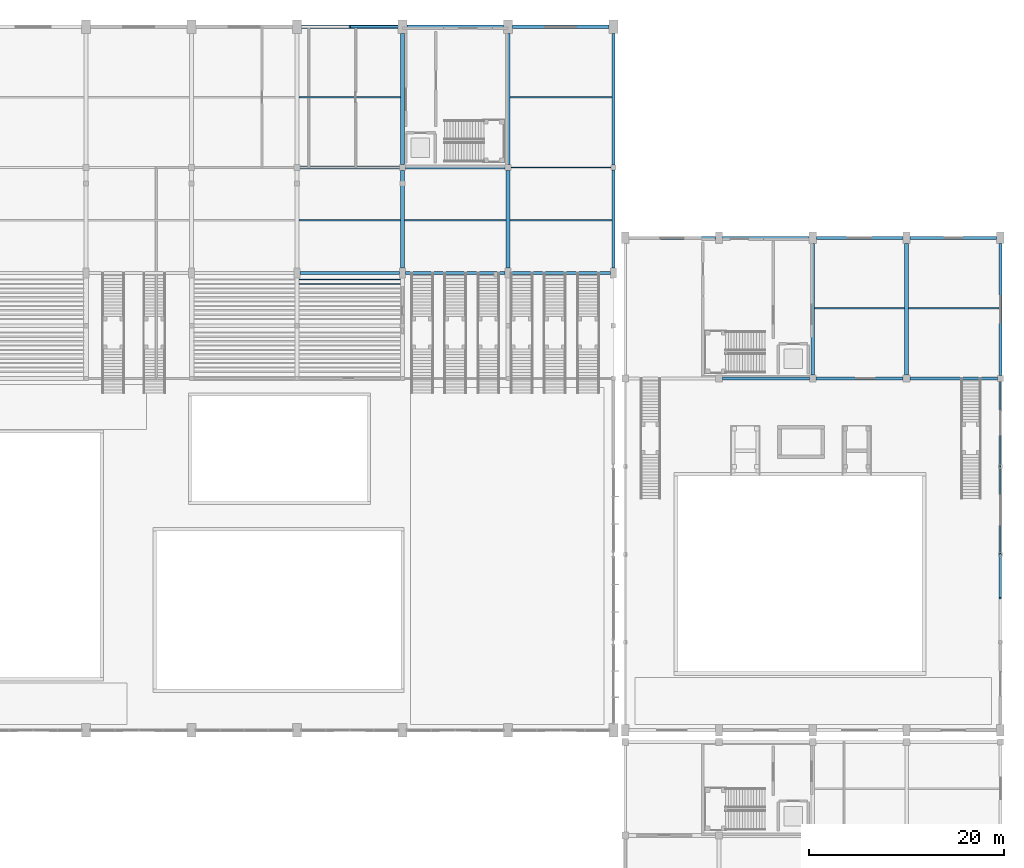
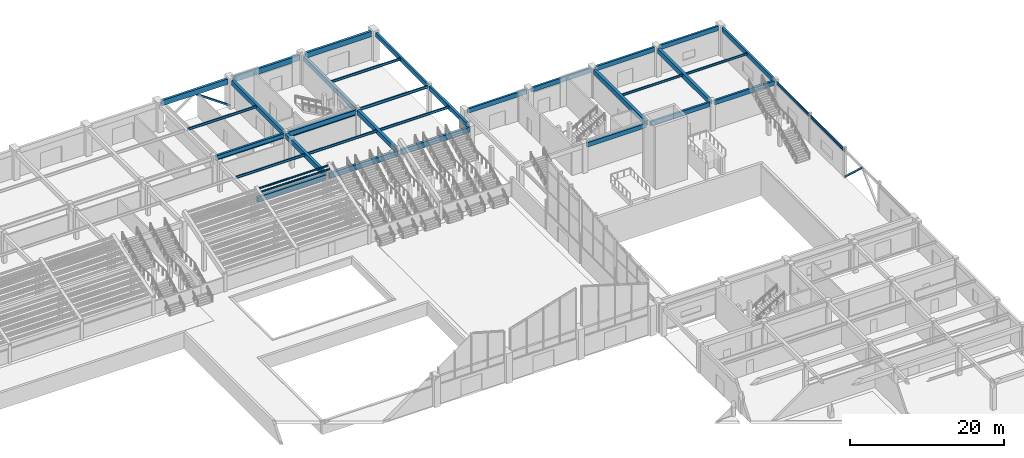
# One storey, part 38 of 82: 36 beams, 2 members.
"""IFC4 building model written with IfcOpenShell, lengths in metres."""

import ifcopenshell
import ifcopenshell.guid

model = None  # the IFC model being written
_history = None  # IfcOwnerHistory: only IFC2X3 demands one
_inside = {}  # id of a spatial element -> (the spatial element, [elements in it])
_under = {}  # id of a project, library or spatial element -> (it, [spatial elements below it])
_declared = {}  # id of a project -> (the project, [libraries it declares])
_typed = {}  # id of a type object -> (the type object, [elements of that type])
_made_of = {}  # id of a material, layer set ... -> (it, [elements and type objects made of it])


def new_model(schema):
    """Start an empty IFC model of exactly this schema.

    Asked for "IFC4X3", IfcOpenShell would pick the latest addendum, in which some entities
    have other attributes; the version numbers below select the first issue.
    IFC2X3 requires an IfcOwnerHistory on every rooted entity: one is made here for all.
    """
    global model, _history
    if schema == "IFC4X3":
        model = ifcopenshell.file(schema_version=(4, 3, 0, 0))
    else:
        model = ifcopenshell.file(schema=schema)
    _inside.clear()
    _under.clear()
    _declared.clear()
    _typed.clear()
    _made_of.clear()
    _history = None
    if model.schema == "IFC2X3":
        org = make("IfcOrganization", Name="unknown")
        user = make(
            "IfcPersonAndOrganization",
            ThePerson=make("IfcPerson", FamilyName="unknown"),
            TheOrganization=org,
        )
        app = make(
            "IfcApplication",
            ApplicationDeveloper=org,
            Version="unknown",
            ApplicationFullName="unknown",
            ApplicationIdentifier="unknown",
        )
        _history = make(
            "IfcOwnerHistory",
            OwningUser=user,
            OwningApplication=app,
            ChangeAction="ADDED",
            CreationDate=0,
        )
    return model


def make(cls, **values):
    """One entity of the class cls with the attributes given. An attribute that is None is left unset."""
    return model.create_entity(
        cls, **{name: value for name, value in values.items() if value is not None}
    )


def rooted(cls, **values):
    """An entity with a GlobalId (a new one), such as an element, a storey or a relation."""
    return make(cls, GlobalId=ifcopenshell.guid.new(), OwnerHistory=_history, **values)


def si_unit(unit_type, name, prefix=None):
    """IfcSIUnit, for example si_unit("LENGTHUNIT", "METRE", prefix="MILLI")."""
    return make("IfcSIUnit", UnitType=unit_type, Prefix=prefix, Name=name)


def assignment(units):
    """IfcUnitAssignment: the units of a project."""
    return None if units is None else make("IfcUnitAssignment", Units=units)


def point(xyz):
    """IfcCartesianPoint."""
    return None if xyz is None else make("IfcCartesianPoint", Coordinates=xyz)


def direction(xyz):
    """IfcDirection."""
    return None if xyz is None else make("IfcDirection", DirectionRatios=xyz)


def frame(location, z_axis=None, x_axis=None):
    """IfcAxis2Placement3D, a coordinate frame: its origin and axes. An axis left out is left unset."""
    return make(
        "IfcAxis2Placement3D",
        Location=point(location),
        Axis=direction(z_axis),
        RefDirection=direction(x_axis),
    )


def frame_2d(location, x_axis=None):
    """IfcAxis2Placement2D, a coordinate frame in the plane: its origin and x axis."""
    return make(
        "IfcAxis2Placement2D", Location=point(location), RefDirection=direction(x_axis)
    )


def origin():
    """The frame at (0, 0, 0) with its axes left unset."""
    return frame((0.0, 0.0, 0.0))


def origin_2d():
    """The frame at (0, 0) in the plane with its x axis left unset."""
    return frame_2d((0.0, 0.0))


def place(relative_to, where):
    """IfcLocalPlacement: puts the frame where relative to a parent placement (None: the world)."""
    return make(
        "IfcLocalPlacement", PlacementRelTo=relative_to, RelativePlacement=where
    )


def context(
    kind, dimensions, precision=None, world=None, true_north=None, identifier=None
):
    """IfcGeometricRepresentationContext, for example the 3D "Model" context."""
    return make(
        "IfcGeometricRepresentationContext",
        ContextIdentifier=identifier,
        ContextType=kind,
        CoordinateSpaceDimension=dimensions,
        Precision=precision,
        WorldCoordinateSystem=world,
        TrueNorth=true_north,
    )


def subcontext(parent, identifier, kind, view, scale=None):
    """IfcGeometricRepresentationSubContext, for example "Body" below "Model"."""
    return make(
        "IfcGeometricRepresentationSubContext",
        ContextIdentifier=identifier,
        ContextType=kind,
        ParentContext=parent,
        TargetScale=scale,
        TargetView=view,
    )


def project(units=None, contexts=None):
    """IfcProject with its units and contexts."""
    return rooted(
        "IfcProject",
        Name="project",
        RepresentationContexts=contexts,
        UnitsInContext=assignment(units),
    )


def spatial(cls, under=None, at=None, **own):
    """A site, building, storey or space (cls), placed at a placement, below another one or the project."""
    s = rooted(cls, ObjectPlacement=at, **own)
    if under is not None:
        _under.setdefault(under.id(), (under, []))[1].append(s)
    return s


def profile(cls, at=None, kind="AREA", **sizes):
    """A parametric profile (cls). Its sizes go by their IFC names, for example OverallWidth=200.0."""
    return make(cls, ProfileType=kind, Position=at, **sizes)


def rectangle(**sizes):
    """IfcRectangleProfileDef."""
    return profile("IfcRectangleProfileDef", **sizes)


def hollow_rectangle(**sizes):
    """IfcRectangleHollowProfileDef."""
    return profile("IfcRectangleHollowProfileDef", **sizes)


def i_section(**sizes):
    """IfcIShapeProfileDef."""
    return profile("IfcIShapeProfileDef", **sizes)


def extrude(swept, where, along, depth):
    """IfcExtrudedAreaSolid: the profile swept, set in the frame where, extruded along a direction by depth."""
    return make(
        "IfcExtrudedAreaSolid",
        SweptArea=swept,
        Position=where,
        ExtrudedDirection=direction(along),
        Depth=depth,
    )


def shape(context_of_items, identifier, shape_type, items):
    """IfcShapeRepresentation: the items that make up one representation, for example the "Body"."""
    return make(
        "IfcShapeRepresentation",
        ContextOfItems=context_of_items,
        RepresentationIdentifier=identifier,
        RepresentationType=shape_type,
        Items=items,
    )


def material(Name=None, Category=None):
    """IfcMaterial."""
    return make("IfcMaterial", Name=Name, Category=Category)


def material_profile(
    of_material, cross_section, Name=None, Category=None, Priority=None
):
    """IfcMaterialProfile: a cross section and its material."""
    return make(
        "IfcMaterialProfile",
        Name=Name,
        Material=of_material,
        Profile=cross_section,
        Priority=Priority,
        Category=Category,
    )


def profile_set(profiles, Name=None, composite=None):
    """IfcMaterialProfileSet."""
    return make(
        "IfcMaterialProfileSet",
        Name=Name,
        MaterialProfiles=profiles,
        CompositeProfile=composite,
    )


def made_of(thing, what):
    """Note that an element or type object is made of a material, layer set ...; save() writes the relation."""
    if what is not None:
        _made_of.setdefault(what.id(), (what, []))[1].append(thing)
    return thing


def type_object(cls, material=None, **own):
    """A type object (cls), such as IfcWallType, which elements share."""
    return made_of(rooted(cls, **own), material)


def element(
    cls,
    number,
    at=None,
    inside=None,
    cuts=None,
    type_object=None,
    material=None,
    context=None,
    identifier="Body",
    shape_type=None,
    held_by="IfcProductDefinitionShape",
    body=None,
    shapes=None,
    **own,
):
    """One element of the class cls, such as IfcWall. Its Tag is "e" and its number.

    at: its placement. inside: the storey or other place that contains it. cuts: it is an
    opening in that element (IfcRelVoidsElement). A single representation is given by context,
    identifier, shape_type and body (its items); several are given by shapes. held_by: the class
    of the entity that holds the representations. save() writes the other relations.
    """
    e = rooted(cls, Tag="e%d" % number, ObjectPlacement=at, **own)
    if body is not None:
        shapes = [shape(context, identifier, shape_type, body)]
    if shapes is not None:
        e.Representation = make(held_by, Representations=shapes)
    if inside is not None:
        _inside.setdefault(inside.id(), (inside, []))[1].append(e)
    if cuts is not None:
        rooted(
            "IfcRelVoidsElement", RelatingBuildingElement=cuts, RelatedOpeningElement=e
        )
    if type_object is not None:
        _typed.setdefault(type_object.id(), (type_object, []))[1].append(e)
    return made_of(e, material)


def aggregate(whole, parts):
    """IfcRelAggregates: a whole, such as a stair, and the parts it consists of."""
    return rooted("IfcRelAggregates", RelatingObject=whole, RelatedObjects=parts)


def save(model, path):
    """Write the relations noted so far, then the file.

    IfcRelAggregates (storeys below a building ...), IfcRelContainedInSpatialStructure (elements
    in a storey), IfcRelDefinesByType, IfcRelAssociatesMaterial and IfcRelDeclares: one each for
    every whole, place, type object, material and project.
    """
    for whole, parts in _under.values():
        aggregate(whole, parts)
    for where, things in _inside.values():
        rooted(
            "IfcRelContainedInSpatialStructure",
            RelatedElements=things,
            RelatingStructure=where,
        )
    for kind, things in _typed.values():
        rooted("IfcRelDefinesByType", RelatedObjects=things, RelatingType=kind)
    for what, things in _made_of.values():
        rooted("IfcRelAssociatesMaterial", RelatedObjects=things, RelatingMaterial=what)
    for by, libraries in _declared.values():
        rooted("IfcRelDeclares", RelatingContext=by, RelatedDefinitions=libraries)
    model.write(path)


model = new_model("IFC4")

# Units and contexts
model_context = context("Model", 3, precision=1e-05, world=origin(), true_north=direction((0.0, 1.0)))
body_context = subcontext(model_context, "Body", "Model", "MODEL_VIEW")
ifc_project = project(units=[si_unit("LENGTHUNIT", "METRE"), si_unit("AREAUNIT", "SQUARE_METRE"), si_unit("VOLUMEUNIT", "CUBIC_METRE"), si_unit("PLANEANGLEUNIT", "RADIAN"), si_unit("MASSUNIT", "GRAM", prefix="KILO")], contexts=[model_context])

# Site, building, storey
site_placement = place(None, origin())
site = spatial("IfcSite", under=ifc_project, at=site_placement, CompositionType="ELEMENT")
building_placement = place(site_placement, origin())
building = spatial("IfcBuilding", under=site, at=building_placement, Name="Suirenkawa Promenade Aquatics Centre", CompositionType="ELEMENT")
storey_placement = place(building_placement, origin())
storey = spatial("IfcBuildingStorey", under=building, at=storey_placement, Name="L00", CompositionType="ELEMENT", Elevation=0.0)

# Beams
ifc_material_1 = material(Name="Steel IS 2062 E350 (Grade 350)", Category="steel")
ifc_material_profile_1 = material_profile(ifc_material_1, i_section(OverallWidth=0.125, OverallDepth=0.25, WebThickness=0.007080078125, FlangeThickness=0.012939453125, at=origin_2d()), Name="ISMB 250", Category="steel")
ifc_profile_set_1 = profile_set([ifc_material_profile_1], Name="Steel IS 2062 E350 (Grade 350)")
beam_type_1 = type_object("IfcBeamType", Name="BT-JOIST-ISMB250", PredefinedType="JOIST", material=ifc_profile_set_1)
for number, where, z_axis, x_axis, name in (
    (1, (122.60009765625, 96.080078125, 5.985107421875), (1.0, 0.0, 0.0), (0.0, 1.0, 0.0), "Seating tier rear stringer JS-01 BM-1310"),
    (2, (122.60009765625, 96.52001953125, 6.284912109375), (1.0, 0.0, 0.0), (0.0, 1.0, 0.0), "Seating tier front stringer JS-01 BM-1311"),
):
    element("IfcBeam", number, at=place(storey_placement, frame(where, z_axis=z_axis, x_axis=x_axis)), inside=storey, type_object=beam_type_1, Name=name, PredefinedType="JOIST", context=body_context, shape_type="SweptSolid", body=[
        extrude(i_section(OverallWidth=0.125, OverallDepth=0.25, WebThickness=0.007080078125, FlangeThickness=0.012939453125, at=origin_2d()), origin(), (0.0, 0.0, 1.0), 10.39990234375),
    ])
ifc_material_profile_2 = material_profile(ifc_material_1, i_section(OverallWidth=0.139892578125, OverallDepth=0.35009765625, WebThickness=0.008056640625, FlangeThickness=0.013916015625, at=origin_2d()), Name="ISMB 350", Category="steel")
ifc_profile_set_2 = profile_set([ifc_material_profile_2], Name="Steel IS 2062 E350 (Grade 350)")
beam_type_2 = type_object("IfcBeamType", Name="BT-JOIST-ISMB350", PredefinedType="JOIST", material=ifc_profile_set_2)
beam_1_placement = place(storey_placement, frame((175.39404296875, 93.60009765625, 4.373046875), z_axis=(1.0, 0.0, 0.0), x_axis=(0.0, 1.0, 0.0)))
element("IfcBeam", 3, at=beam_1_placement, inside=storey, type_object=beam_type_2, Name="Secondary floor joist JS-03 BM-1405", PredefinedType="JOIST", context=body_context, shape_type="SweptSolid", body=[
    extrude(i_section(OverallWidth=0.139892578125, OverallDepth=0.35009765625, WebThickness=0.008056640625, FlangeThickness=0.013916015625, at=origin_2d()), origin(), (0.0, 0.0, 1.0), 9.2119140625),
])
beam_2_placement = place(storey_placement, frame((184.993896484375, 93.60009765625, 4.373046875), z_axis=(1.0, 0.0, 0.0), x_axis=(0.0, 1.0, 0.0)))
element("IfcBeam", 4, at=beam_2_placement, inside=storey, type_object=beam_type_2, Name="Secondary floor joist JS-03 BM-1406", PredefinedType="JOIST", context=body_context, shape_type="SweptSolid", body=[
    extrude(i_section(OverallWidth=0.139892578125, OverallDepth=0.35009765625, WebThickness=0.008056640625, FlangeThickness=0.013916015625, at=origin_2d()), origin(), (0.0, 0.0, 1.0), 9.26220703125),
])
ifc_material_profile_3 = material_profile(ifc_material_1, i_section(OverallWidth=0.139892578125, OverallDepth=0.39990234375, WebThickness=0.009033203125, FlangeThickness=0.01611328125, at=origin_2d()), Name="ISMB 400", Category="steel")
ifc_profile_set_3 = profile_set([ifc_material_profile_3], Name="Steel IS 2062 E350 (Grade 350)")
beam_type_3 = type_object("IfcBeamType", Name="BT-JOIST-ISMB400", PredefinedType="JOIST", material=ifc_profile_set_3)
for number, where, z_axis, x_axis, name in (
    (5, (122.593994140625, 102.60009765625, 4.318115234375), (1.0, 0.0, 0.0), (0.0, 1.0, 0.0), "Secondary floor joist JS-04 BM-1121"),
    (6, (122.593994140625, 115.199951171875, 4.318115234375), (1.0, 0.0, 0.0), (0.0, 1.0, 0.0), "Secondary floor joist JS-04 BM-1122"),
):
    element("IfcBeam", number, at=place(storey_placement, frame(where, z_axis=z_axis, x_axis=x_axis)), inside=storey, type_object=beam_type_3, Name=name, PredefinedType="JOIST", context=body_context, shape_type="SweptSolid", body=[
        extrude(i_section(OverallWidth=0.139892578125, OverallDepth=0.39990234375, WebThickness=0.009033203125, FlangeThickness=0.01611328125, at=origin_2d()), origin(), (0.0, 0.0, 1.0), 10.412109375),
    ])
beam_3_placement = place(storey_placement, frame((133.39404296875, 102.60009765625, 4.318115234375), z_axis=(1.0, 0.0, 0.0), x_axis=(0.0, 1.0, 0.0)))
element("IfcBeam", 7, at=beam_3_placement, inside=storey, type_object=beam_type_3, Name="Secondary floor joist JS-04 BM-1123", PredefinedType="JOIST", context=body_context, shape_type="SweptSolid", body=[
    extrude(i_section(OverallWidth=0.139892578125, OverallDepth=0.39990234375, WebThickness=0.009033203125, FlangeThickness=0.01611328125, at=origin_2d()), origin(), (0.0, 0.0, 1.0), 10.411865234375),
])
for number, where, z_axis, x_axis, name in (
    (8, (144.194091796875, 102.60009765625, 4.318115234375), (1.0, 0.0, 0.0), (0.0, 1.0, 0.0), "Secondary floor joist JS-04 BM-1124"),
    (9, (144.194091796875, 115.199951171875, 4.318115234375), (1.0, 0.0, 0.0), (0.0, 1.0, 0.0), "Secondary floor joist JS-04 BM-1125"),
):
    element("IfcBeam", number, at=place(storey_placement, frame(where, z_axis=z_axis, x_axis=x_axis)), inside=storey, type_object=beam_type_3, Name=name, PredefinedType="JOIST", context=body_context, shape_type="SweptSolid", body=[
        extrude(i_section(OverallWidth=0.139892578125, OverallDepth=0.39990234375, WebThickness=0.009033203125, FlangeThickness=0.01611328125, at=origin_2d()), origin(), (0.0, 0.0, 1.0), 10.4619140625),
    ])
ifc_material_2 = material(Name="Concrete M40", Category="concrete")
ifc_material_profile_4 = material_profile(ifc_material_2, rectangle(XDim=0.39990234375, YDim=0.75, at=origin_2d()), Name="RC BM 400x750", Category="concrete")
ifc_profile_set_4 = profile_set([ifc_material_profile_4], Name="Concrete M40")
beam_type_4 = type_object("IfcBeamType", Name="BT-RC-400x750", PredefinedType="BEAM", material=ifc_profile_set_4)
beam_4_placement = place(storey_placement, frame((133.199951171875, 97.694091796875, 4.14501953125), z_axis=(0.0, 1.0, 0.0), x_axis=(-1.0, 0.0, 0.0)))
element("IfcBeam", 10, at=beam_4_placement, inside=storey, type_object=beam_type_4, Name="Floor beam BM-05 BM-1102", PredefinedType="BEAM", context=body_context, shape_type="SweptSolid", body=[
    extrude(rectangle(XDim=0.39990234375, YDim=0.75, at=origin_2d()), origin(), (0.0, 0.0, 1.0), 10.011962890625),
])
beam_5_placement = place(storey_placement, frame((133.199951171875, 108.2939453125, 4.14501953125), z_axis=(0.0, 1.0, 0.0), x_axis=(-1.0, 0.0, 0.0)))
element("IfcBeam", 11, at=beam_5_placement, inside=storey, type_object=beam_type_4, Name="Floor beam BM-05 BM-1103", PredefinedType="BEAM", context=body_context, shape_type="SweptSolid", body=[
    extrude(rectangle(XDim=0.39990234375, YDim=0.75, at=origin_2d()), origin(), (0.0, 0.0, 1.0), 13.412109375),
])
beam_6_placement = place(storey_placement, frame((144.0, 97.694091796875, 4.14501953125), z_axis=(0.0, 1.0, 0.0), x_axis=(-1.0, 0.0, 0.0)))
element("IfcBeam", 12, at=beam_6_placement, inside=storey, type_object=beam_type_4, Name="Floor beam BM-05 BM-1104", PredefinedType="BEAM", context=body_context, shape_type="SweptSolid", body=[
    extrude(rectangle(XDim=0.39990234375, YDim=0.75, at=origin_2d()), origin(), (0.0, 0.0, 1.0), 10.011962890625),
])
beam_7_placement = place(storey_placement, frame((144.0, 108.2939453125, 4.14501953125), z_axis=(0.0, 1.0, 0.0), x_axis=(-1.0, 0.0, 0.0)))
element("IfcBeam", 13, at=beam_7_placement, inside=storey, type_object=beam_type_4, Name="Floor beam BM-05 BM-1105", PredefinedType="BEAM", context=body_context, shape_type="SweptSolid", body=[
    extrude(rectangle(XDim=0.39990234375, YDim=0.75, at=origin_2d()), origin(), (0.0, 0.0, 1.0), 13.412109375),
])
for number, where, z_axis, x_axis, name in (
    (14, (175.199951171875, 86.743896484375, 4.175048828125), (0.0, 1.0, 0.0), (-1.0, 0.0, 0.0), "Floor beam BM-05 BM-1402"),
    (15, (184.800048828125, 86.743896484375, 4.175048828125), (0.0, 1.0, 0.0), (-1.0, 0.0, 0.0), "Floor beam BM-05 BM-1403"),
):
    element("IfcBeam", number, at=place(storey_placement, frame(where, z_axis=z_axis, x_axis=x_axis)), inside=storey, type_object=beam_type_4, Name=name, PredefinedType="BEAM", context=body_context, shape_type="SweptSolid", body=[
        extrude(rectangle(XDim=0.39990234375, YDim=0.75, at=origin_2d()), origin(), (0.0, 0.0, 1.0), 13.462158203125),
    ])
ifc_material_profile_5 = material_profile(ifc_material_2, rectangle(XDim=0.300048828125, YDim=0.699951171875, at=origin_2d()), Name="RC SPANDREL 300x700", Category="concrete")
ifc_profile_set_5 = profile_set([ifc_material_profile_5], Name="Concrete M40")
beam_type_5 = type_object("IfcBeamType", Name="BT-SPANDREL-300x700", PredefinedType="SPANDREL", material=ifc_profile_set_5)
beam_8_placement = place(storey_placement, frame((154.800048828125, 97.694091796875, 4.169921875), z_axis=(0.0, 1.0, 0.0), x_axis=(-1.0, 0.0, 0.0)))
element("IfcBeam", 16, at=beam_8_placement, inside=storey, type_object=beam_type_5, Name="Floor beam SP-01 BM-1106", PredefinedType="SPANDREL", context=body_context, shape_type="SweptSolid", body=[
    extrude(rectangle(XDim=0.300048828125, YDim=0.699951171875, at=origin_2d()), origin(), (0.0, 0.0, 1.0), 10.06201171875),
])
beam_9_placement = place(storey_placement, frame((154.800048828125, 108.243896484375, 4.169921875), z_axis=(0.0, 1.0, 0.0), x_axis=(-1.0, 0.0, 0.0)))
element("IfcBeam", 17, at=beam_9_placement, inside=storey, type_object=beam_type_5, Name="Floor beam SP-01 BM-1107", PredefinedType="SPANDREL", context=body_context, shape_type="SweptSolid", body=[
    extrude(rectangle(XDim=0.300048828125, YDim=0.699951171875, at=origin_2d()), origin(), (0.0, 0.0, 1.0), 13.462158203125),
])
beam_10_placement = place(storey_placement, frame((165.944091796875, 86.39990234375, 4.199951171875), z_axis=(1.0, 0.0, 0.0), x_axis=(0.0, 1.0, 0.0)))
element("IfcBeam", 18, at=beam_10_placement, inside=storey, type_object=beam_type_5, Name="Floor beam SP-01 BM-1394", PredefinedType="SPANDREL", context=body_context, shape_type="SweptSolid", body=[
    extrude(rectangle(XDim=0.300048828125, YDim=0.699951171875, at=origin_2d()), origin(), (0.0, 0.0, 1.0), 8.911865234375),
])
beam_11_placement = place(storey_placement, frame((175.5439453125, 86.39990234375, 4.199951171875), z_axis=(1.0, 0.0, 0.0), x_axis=(0.0, 1.0, 0.0)))
element("IfcBeam", 19, at=beam_11_placement, inside=storey, type_object=beam_type_5, Name="Floor beam SP-01 BM-1395", PredefinedType="SPANDREL", context=body_context, shape_type="SweptSolid", body=[
    extrude(rectangle(XDim=0.300048828125, YDim=0.699951171875, at=origin_2d()), origin(), (0.0, 0.0, 1.0), 8.912109375),
])
beam_12_placement = place(storey_placement, frame((185.14404296875, 86.39990234375, 4.199951171875), z_axis=(1.0, 0.0, 0.0), x_axis=(0.0, 1.0, 0.0)))
element("IfcBeam", 20, at=beam_12_placement, inside=storey, type_object=beam_type_5, Name="Floor beam SP-01 BM-1396", PredefinedType="SPANDREL", context=body_context, shape_type="SweptSolid", body=[
    extrude(rectangle(XDim=0.300048828125, YDim=0.699951171875, at=origin_2d()), origin(), (0.0, 0.0, 1.0), 8.9619140625),
])
for number, where, z_axis, x_axis, name in (
    (21, (156.368896484375, 100.800048828125, 4.199951171875), (1.0, 0.0, 0.0), (0.0, 1.0, 0.0), "Floor beam SP-01 BM-1397"),
    (22, (165.968994140625, 100.800048828125, 4.199951171875), (1.0, 0.0, 0.0), (0.0, 1.0, 0.0), "Floor beam SP-01 BM-1398"),
):
    element("IfcBeam", number, at=place(storey_placement, frame(where, z_axis=z_axis, x_axis=x_axis)), inside=storey, type_object=beam_type_5, Name=name, PredefinedType="SPANDREL", context=body_context, shape_type="SweptSolid", body=[
        extrude(rectangle(XDim=0.300048828125, YDim=0.699951171875, at=origin_2d()), origin(), (0.0, 0.0, 1.0), 8.862060546875),
    ])
beam_13_placement = place(storey_placement, frame((175.569091796875, 100.800048828125, 4.199951171875), z_axis=(1.0, 0.0, 0.0), x_axis=(0.0, 1.0, 0.0)))
element("IfcBeam", 23, at=beam_13_placement, inside=storey, type_object=beam_type_5, Name="Floor beam SP-01 BM-1399", PredefinedType="SPANDREL", context=body_context, shape_type="SweptSolid", body=[
    extrude(rectangle(XDim=0.300048828125, YDim=0.699951171875, at=origin_2d()), origin(), (0.0, 0.0, 1.0), 8.86181640625),
])
beam_14_placement = place(storey_placement, frame((185.1689453125, 100.800048828125, 4.199951171875), z_axis=(1.0, 0.0, 0.0), x_axis=(0.0, 1.0, 0.0)))
element("IfcBeam", 24, at=beam_14_placement, inside=storey, type_object=beam_type_5, Name="Floor beam SP-01 BM-1400", PredefinedType="SPANDREL", context=body_context, shape_type="SweptSolid", body=[
    extrude(rectangle(XDim=0.300048828125, YDim=0.699951171875, at=origin_2d()), origin(), (0.0, 0.0, 1.0), 8.862060546875),
])
beam_15_placement = place(storey_placement, frame((194.39990234375, 86.694091796875, 4.199951171875), z_axis=(0.0, 1.0, 0.0), x_axis=(-1.0, 0.0, 0.0)))
element("IfcBeam", 25, at=beam_15_placement, inside=storey, type_object=beam_type_5, Name="Floor beam SP-01 BM-1404", PredefinedType="SPANDREL", context=body_context, shape_type="SweptSolid", body=[
    extrude(rectangle(XDim=0.300048828125, YDim=0.699951171875, at=origin_2d()), origin(), (0.0, 0.0, 1.0), 13.511962890625),
])
ifc_material_profile_6 = material_profile(ifc_material_2, rectangle(XDim=0.35009765625, YDim=0.85009765625, at=origin_2d()), Name="RC SPANDREL 350x850", Category="concrete")
ifc_profile_set_6 = profile_set([ifc_material_profile_6], Name="Concrete M40")
beam_type_6 = type_object("IfcBeamType", Name="BT-SPANDREL-350x850", PredefinedType="SPANDREL", material=ifc_profile_set_6)
beam_16_placement = place(storey_placement, frame((122.694091796875, 97.199951171875, 4.094970703125), z_axis=(1.0, 0.0, 0.0), x_axis=(0.0, 1.0, 0.0)))
element("IfcBeam", 26, at=beam_16_placement, inside=storey, type_object=beam_type_6, Name="Floor beam SP-02 BM-1063", PredefinedType="SPANDREL", context=body_context, shape_type="SweptSolid", body=[
    extrude(rectangle(XDim=0.35009765625, YDim=0.85009765625, at=origin_2d()), origin(), (0.0, 0.0, 1.0), 10.2119140625),
])
for number, where, z_axis, x_axis, name in (
    (27, (133.493896484375, 97.199951171875, 4.094970703125), (1.0, 0.0, 0.0), (0.0, 1.0, 0.0), "Floor beam SP-02 BM-1064"),
    (28, (144.2939453125, 97.199951171875, 4.094970703125), (1.0, 0.0, 0.0), (0.0, 1.0, 0.0), "Floor beam SP-02 BM-1065"),
):
    element("IfcBeam", number, at=place(storey_placement, frame(where, z_axis=z_axis, x_axis=x_axis)), inside=storey, type_object=beam_type_6, Name=name, PredefinedType="SPANDREL", context=body_context, shape_type="SweptSolid", body=[
        extrude(rectangle(XDim=0.35009765625, YDim=0.85009765625, at=origin_2d()), origin(), (0.0, 0.0, 1.0), 10.212158203125),
    ])
beam_17_placement = place(storey_placement, frame((122.843994140625, 122.39990234375, 4.094970703125), z_axis=(1.0, 0.0, 0.0), x_axis=(0.0, 1.0, 0.0)))
element("IfcBeam", 29, at=beam_17_placement, inside=storey, type_object=beam_type_6, Name="Floor beam SP-02 BM-1083", PredefinedType="SPANDREL", context=body_context, shape_type="SweptSolid", body=[
    extrude(rectangle(XDim=0.35009765625, YDim=0.85009765625, at=origin_2d()), origin(), (0.0, 0.0, 1.0), 9.912109375),
])
for number, where, z_axis, x_axis, name in (
    (30, (133.64404296875, 122.39990234375, 4.094970703125), (1.0, 0.0, 0.0), (0.0, 1.0, 0.0), "Floor beam SP-02 BM-1084"),
    (31, (144.444091796875, 122.39990234375, 4.094970703125), (1.0, 0.0, 0.0), (0.0, 1.0, 0.0), "Floor beam SP-02 BM-1085"),
):
    element("IfcBeam", number, at=place(storey_placement, frame(where, z_axis=z_axis, x_axis=x_axis)), inside=storey, type_object=beam_type_6, Name=name, PredefinedType="SPANDREL", context=body_context, shape_type="SweptSolid", body=[
        extrude(rectangle(XDim=0.35009765625, YDim=0.85009765625, at=origin_2d()), origin(), (0.0, 0.0, 1.0), 9.911865234375),
    ])
ifc_material_profile_7 = material_profile(ifc_material_1, i_section(OverallWidth=0.14990234375, OverallDepth=0.449951171875, WebThickness=0.009033203125, FlangeThickness=0.01708984375, at=origin_2d()), Name="ISMB 450", Category="steel")
ifc_profile_set_7 = profile_set([ifc_material_profile_7], Name="Steel IS 2062 E350 (Grade 350)")
beam_type_7 = type_object("IfcBeamType", Name="BT-STL-ISMB450", PredefinedType="BEAM", material=ifc_profile_set_7)
beam_18_placement = place(storey_placement, frame((144.2939453125, 108.0, 4.294921875), z_axis=(1.0, 0.0, 0.0), x_axis=(0.0, 1.0, 0.0)))
element("IfcBeam", 32, at=beam_18_placement, inside=storey, type_object=beam_type_7, Name="Floor beam BM-08 BM-1075", PredefinedType="BEAM", context=body_context, shape_type="SweptSolid", body=[
    extrude(i_section(OverallWidth=0.14990234375, OverallDepth=0.449951171875, WebThickness=0.009033203125, FlangeThickness=0.01708984375, at=origin_2d()), origin(), (0.0, 0.0, 1.0), 10.261962890625),
])
for number, where, z_axis, x_axis, name in (
    (33, (194.39990234375, 68.39990234375, 4.22509765625), (0.0, 1.0, 0.0), (-1.0, 0.0, 0.0), "Diving hall wind girt BM-08 BM-1359"),
    (34, (194.39990234375, 77.39990234375, 4.22509765625), (0.0, 1.0, 0.0), (-1.0, 0.0, 0.0), "Diving hall wind girt BM-08 BM-1360"),
):
    element("IfcBeam", number, at=place(storey_placement, frame(where, z_axis=z_axis, x_axis=x_axis)), inside=storey, type_object=beam_type_7, Name=name, PredefinedType="BEAM", context=body_context, shape_type="SweptSolid", body=[
        extrude(i_section(OverallWidth=0.14990234375, OverallDepth=0.449951171875, WebThickness=0.009033203125, FlangeThickness=0.01708984375, at=origin_2d()), origin(), (0.0, 0.0, 1.0), 9.0),
    ])
ifc_material_profile_8 = material_profile(ifc_material_1, i_section(OverallWidth=0.300048828125, OverallDepth=0.75, WebThickness=0.013916015625, FlangeThickness=0.02490234375, at=origin_2d()), Name="WPG 750x300", Category="steel")
ifc_profile_set_8 = profile_set([ifc_material_profile_8], Name="Steel IS 2062 E350 (Grade 350)")
beam_type_8 = type_object("IfcBeamType", Name="BT-STL-WPG750", PredefinedType="BEAM", material=ifc_profile_set_8)
beam_19_placement = place(storey_placement, frame((122.694091796875, 108.0, 4.14501953125), z_axis=(1.0, 0.0, 0.0), x_axis=(0.0, 1.0, 0.0)))
element("IfcBeam", 35, at=beam_19_placement, inside=storey, type_object=beam_type_8, Name="Floor beam BM-13 BM-1073", PredefinedType="BEAM", context=body_context, shape_type="SweptSolid", body=[
    extrude(i_section(OverallWidth=0.300048828125, OverallDepth=0.75, WebThickness=0.013916015625, FlangeThickness=0.02490234375, at=origin_2d()), origin(), (0.0, 0.0, 1.0), 10.2119140625),
])
ifc_material_profile_9 = material_profile(ifc_material_1, i_section(OverallWidth=0.35009765625, OverallDepth=0.89990234375, WebThickness=0.01611328125, FlangeThickness=0.031982421875, at=origin_2d()), Name="WPG 900x350", Category="steel")
ifc_profile_set_9 = profile_set([ifc_material_profile_9], Name="Steel IS 2062 E350 (Grade 350)")
beam_type_9 = type_object("IfcBeamType", Name="BT-STL-WPG900", PredefinedType="BEAM", material=ifc_profile_set_9)
beam_20_placement = place(storey_placement, frame((133.493896484375, 108.0, 4.070068359375), z_axis=(1.0, 0.0, 0.0), x_axis=(0.0, 1.0, 0.0)))
element("IfcBeam", 36, at=beam_20_placement, inside=storey, type_object=beam_type_9, Name="Floor beam BM-14 BM-1074", PredefinedType="BEAM", context=body_context, shape_type="SweptSolid", body=[
    extrude(i_section(OverallWidth=0.35009765625, OverallDepth=0.89990234375, WebThickness=0.01611328125, FlangeThickness=0.031982421875, at=origin_2d()), origin(), (0.0, 0.0, 1.0), 10.212158203125),
])

# Members
ifc_material_profile_10 = material_profile(ifc_material_1, hollow_rectangle(XDim=0.25, YDim=0.25, WallThickness=0.011962890625, at=origin_2d()), Name="SHS 250x250x12", Category="steel")
ifc_profile_set_10 = profile_set([ifc_material_profile_10], Name="Steel IS 2062 E350 (Grade 350)")
member_type = type_object("IfcMemberType", Name="MT-BRACE-SHS250", PredefinedType="BRACE", material=ifc_profile_set_10)
member_1_placement = place(storey_placement, frame((133.199951171875, 122.39990234375, 0.050048828125), z_axis=(-0.817798040629, 0.0, 0.575505312524), x_axis=(0.0, -1.0, 0.0)))
element("IfcMember", 37, at=member_1_placement, inside=storey, type_object=member_type, Name="ROOF TRUSS Vertical chevron brace BF-03 MB-2908", PredefinedType="BRACE", context=body_context, shape_type="SweptSolid", body=[
    extrude(hollow_rectangle(XDim=0.25, YDim=0.25, WallThickness=0.011962890625, at=origin_2d()), origin(), (0.0, 0.0, 1.0), 6.60302734375),
])
member_2_placement = place(storey_placement, frame((194.39990234375, 68.39990234375, 0.050048828125), z_axis=(0.0, -0.733079568112, 0.680142887059), x_axis=(1.0, 0.0, 0.0)))
element("IfcMember", 38, at=member_2_placement, inside=storey, type_object=member_type, Name="ROOF TRUSS Vertical chevron brace BF-03 MB-2914", PredefinedType="BRACE", context=body_context, shape_type="SweptSolid", body=[
    extrude(hollow_rectangle(XDim=0.25, YDim=0.25, WallThickness=0.011962890625, at=origin_2d()), origin(), (0.0, 0.0, 1.0), 6.138427734375),
])

save(model, "model.ifc")
